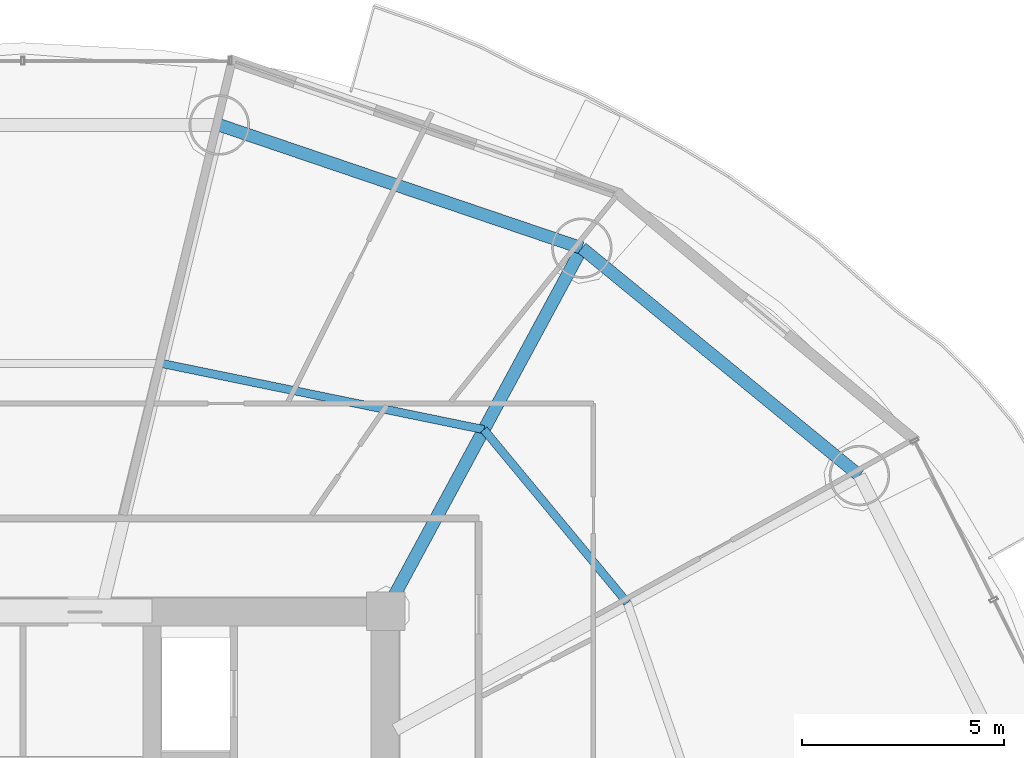
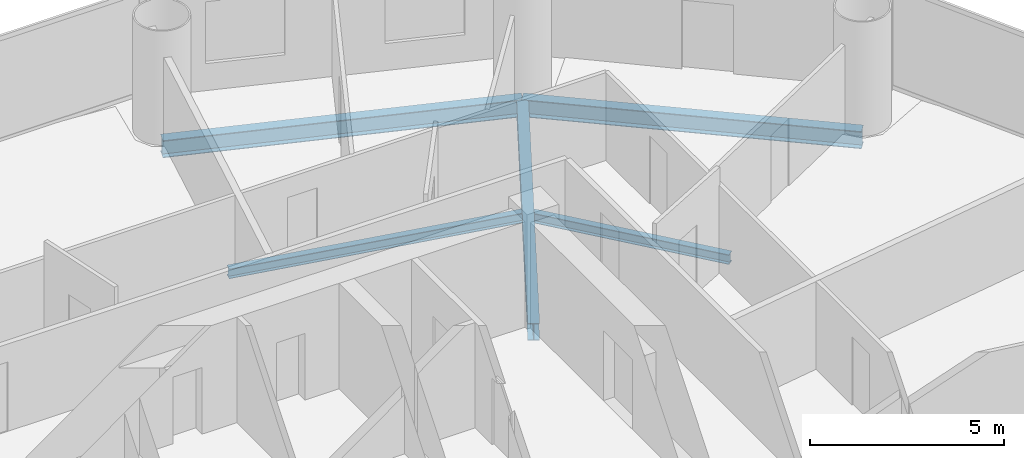
# One storey, part 18 of 28: 5 beams.
"""IFC4 building model written with IfcOpenShell, lengths in metres."""

import ifcopenshell
import ifcopenshell.guid

model = None  # the IFC model being written
_history = None  # IfcOwnerHistory: only IFC2X3 demands one
_inside = {}  # id of a spatial element -> (the spatial element, [elements in it])
_under = {}  # id of a project, library or spatial element -> (it, [spatial elements below it])
_declared = {}  # id of a project -> (the project, [libraries it declares])
_typed = {}  # id of a type object -> (the type object, [elements of that type])
_made_of = {}  # id of a material, layer set ... -> (it, [elements and type objects made of it])


def new_model(schema):
    """Start an empty IFC model of exactly this schema.

    Asked for "IFC4X3", IfcOpenShell would pick the latest addendum, in which some entities
    have other attributes; the version numbers below select the first issue.
    IFC2X3 requires an IfcOwnerHistory on every rooted entity: one is made here for all.
    """
    global model, _history
    if schema == "IFC4X3":
        model = ifcopenshell.file(schema_version=(4, 3, 0, 0))
    else:
        model = ifcopenshell.file(schema=schema)
    _inside.clear()
    _under.clear()
    _declared.clear()
    _typed.clear()
    _made_of.clear()
    _history = None
    if model.schema == "IFC2X3":
        org = make("IfcOrganization", Name="unknown")
        user = make(
            "IfcPersonAndOrganization",
            ThePerson=make("IfcPerson", FamilyName="unknown"),
            TheOrganization=org,
        )
        app = make(
            "IfcApplication",
            ApplicationDeveloper=org,
            Version="unknown",
            ApplicationFullName="unknown",
            ApplicationIdentifier="unknown",
        )
        _history = make(
            "IfcOwnerHistory",
            OwningUser=user,
            OwningApplication=app,
            ChangeAction="ADDED",
            CreationDate=0,
        )
    return model


def make(cls, **values):
    """One entity of the class cls with the attributes given. An attribute that is None is left unset."""
    return model.create_entity(
        cls, **{name: value for name, value in values.items() if value is not None}
    )


def rooted(cls, **values):
    """An entity with a GlobalId (a new one), such as an element, a storey or a relation."""
    return make(cls, GlobalId=ifcopenshell.guid.new(), OwnerHistory=_history, **values)


def si_unit(unit_type, name, prefix=None):
    """IfcSIUnit, for example si_unit("LENGTHUNIT", "METRE", prefix="MILLI")."""
    return make("IfcSIUnit", UnitType=unit_type, Prefix=prefix, Name=name)


def assignment(units):
    """IfcUnitAssignment: the units of a project."""
    return None if units is None else make("IfcUnitAssignment", Units=units)


def point(xyz):
    """IfcCartesianPoint."""
    return None if xyz is None else make("IfcCartesianPoint", Coordinates=xyz)


def direction(xyz):
    """IfcDirection."""
    return None if xyz is None else make("IfcDirection", DirectionRatios=xyz)


def frame(location, z_axis=None, x_axis=None):
    """IfcAxis2Placement3D, a coordinate frame: its origin and axes. An axis left out is left unset."""
    return make(
        "IfcAxis2Placement3D",
        Location=point(location),
        Axis=direction(z_axis),
        RefDirection=direction(x_axis),
    )


def frame_2d(location, x_axis=None):
    """IfcAxis2Placement2D, a coordinate frame in the plane: its origin and x axis."""
    return make(
        "IfcAxis2Placement2D", Location=point(location), RefDirection=direction(x_axis)
    )


def origin():
    """The frame at (0, 0, 0) with its axes left unset."""
    return frame((0.0, 0.0, 0.0))


def origin_2d():
    """The frame at (0, 0) in the plane with its x axis left unset."""
    return frame_2d((0.0, 0.0))


def place(relative_to, where):
    """IfcLocalPlacement: puts the frame where relative to a parent placement (None: the world)."""
    return make(
        "IfcLocalPlacement", PlacementRelTo=relative_to, RelativePlacement=where
    )


def context(
    kind, dimensions, precision=None, world=None, true_north=None, identifier=None
):
    """IfcGeometricRepresentationContext, for example the 3D "Model" context."""
    return make(
        "IfcGeometricRepresentationContext",
        ContextIdentifier=identifier,
        ContextType=kind,
        CoordinateSpaceDimension=dimensions,
        Precision=precision,
        WorldCoordinateSystem=world,
        TrueNorth=true_north,
    )


def subcontext(parent, identifier, kind, view, scale=None):
    """IfcGeometricRepresentationSubContext, for example "Body" below "Model"."""
    return make(
        "IfcGeometricRepresentationSubContext",
        ContextIdentifier=identifier,
        ContextType=kind,
        ParentContext=parent,
        TargetScale=scale,
        TargetView=view,
    )


def project(units=None, contexts=None):
    """IfcProject with its units and contexts."""
    return rooted(
        "IfcProject",
        Name="project",
        RepresentationContexts=contexts,
        UnitsInContext=assignment(units),
    )


def spatial(cls, under=None, at=None, **own):
    """A site, building, storey or space (cls), placed at a placement, below another one or the project."""
    s = rooted(cls, ObjectPlacement=at, **own)
    if under is not None:
        _under.setdefault(under.id(), (under, []))[1].append(s)
    return s


def profile(cls, at=None, kind="AREA", **sizes):
    """A parametric profile (cls). Its sizes go by their IFC names, for example OverallWidth=200.0."""
    return make(cls, ProfileType=kind, Position=at, **sizes)


def i_section(**sizes):
    """IfcIShapeProfileDef."""
    return profile("IfcIShapeProfileDef", **sizes)


def extrude(swept, where, along, depth):
    """IfcExtrudedAreaSolid: the profile swept, set in the frame where, extruded along a direction by depth."""
    return make(
        "IfcExtrudedAreaSolid",
        SweptArea=swept,
        Position=where,
        ExtrudedDirection=direction(along),
        Depth=depth,
    )


def shape(context_of_items, identifier, shape_type, items):
    """IfcShapeRepresentation: the items that make up one representation, for example the "Body"."""
    return make(
        "IfcShapeRepresentation",
        ContextOfItems=context_of_items,
        RepresentationIdentifier=identifier,
        RepresentationType=shape_type,
        Items=items,
    )


def material(Name=None, Category=None):
    """IfcMaterial."""
    return make("IfcMaterial", Name=Name, Category=Category)


def material_profile(
    of_material, cross_section, Name=None, Category=None, Priority=None
):
    """IfcMaterialProfile: a cross section and its material."""
    return make(
        "IfcMaterialProfile",
        Name=Name,
        Material=of_material,
        Profile=cross_section,
        Priority=Priority,
        Category=Category,
    )


def profile_set(profiles, Name=None, composite=None):
    """IfcMaterialProfileSet."""
    return make(
        "IfcMaterialProfileSet",
        Name=Name,
        MaterialProfiles=profiles,
        CompositeProfile=composite,
    )


def made_of(thing, what):
    """Note that an element or type object is made of a material, layer set ...; save() writes the relation."""
    if what is not None:
        _made_of.setdefault(what.id(), (what, []))[1].append(thing)
    return thing


def type_object(cls, material=None, **own):
    """A type object (cls), such as IfcWallType, which elements share."""
    return made_of(rooted(cls, **own), material)


def element(
    cls,
    number,
    at=None,
    inside=None,
    cuts=None,
    type_object=None,
    material=None,
    context=None,
    identifier="Body",
    shape_type=None,
    held_by="IfcProductDefinitionShape",
    body=None,
    shapes=None,
    **own,
):
    """One element of the class cls, such as IfcWall. Its Tag is "e" and its number.

    at: its placement. inside: the storey or other place that contains it. cuts: it is an
    opening in that element (IfcRelVoidsElement). A single representation is given by context,
    identifier, shape_type and body (its items); several are given by shapes. held_by: the class
    of the entity that holds the representations. save() writes the other relations.
    """
    e = rooted(cls, Tag="e%d" % number, ObjectPlacement=at, **own)
    if body is not None:
        shapes = [shape(context, identifier, shape_type, body)]
    if shapes is not None:
        e.Representation = make(held_by, Representations=shapes)
    if inside is not None:
        _inside.setdefault(inside.id(), (inside, []))[1].append(e)
    if cuts is not None:
        rooted(
            "IfcRelVoidsElement", RelatingBuildingElement=cuts, RelatedOpeningElement=e
        )
    if type_object is not None:
        _typed.setdefault(type_object.id(), (type_object, []))[1].append(e)
    return made_of(e, material)


def aggregate(whole, parts):
    """IfcRelAggregates: a whole, such as a stair, and the parts it consists of."""
    return rooted("IfcRelAggregates", RelatingObject=whole, RelatedObjects=parts)


def save(model, path):
    """Write the relations noted so far, then the file.

    IfcRelAggregates (storeys below a building ...), IfcRelContainedInSpatialStructure (elements
    in a storey), IfcRelDefinesByType, IfcRelAssociatesMaterial and IfcRelDeclares: one each for
    every whole, place, type object, material and project.
    """
    for whole, parts in _under.values():
        aggregate(whole, parts)
    for where, things in _inside.values():
        rooted(
            "IfcRelContainedInSpatialStructure",
            RelatedElements=things,
            RelatingStructure=where,
        )
    for kind, things in _typed.values():
        rooted("IfcRelDefinesByType", RelatedObjects=things, RelatingType=kind)
    for what, things in _made_of.values():
        rooted("IfcRelAssociatesMaterial", RelatedObjects=things, RelatingMaterial=what)
    for by, libraries in _declared.values():
        rooted("IfcRelDeclares", RelatingContext=by, RelatedDefinitions=libraries)
    model.write(path)


model = new_model("IFC4")

# Units and contexts
model_context = context("Model", 3, precision=1e-05, world=origin(), true_north=direction((-0.2419218956, 0.970295726276)))
body_context = subcontext(model_context, "Body", "Model", "MODEL_VIEW")
ifc_project = project(units=[si_unit("LENGTHUNIT", "METRE"), si_unit("AREAUNIT", "SQUARE_METRE"), si_unit("VOLUMEUNIT", "CUBIC_METRE"), si_unit("PLANEANGLEUNIT", "RADIAN"), si_unit("MASSUNIT", "GRAM", prefix="KILO")], contexts=[model_context])

# Site, building, storey
site_placement = place(None, origin())
site = spatial("IfcSite", under=ifc_project, at=site_placement, CompositionType="ELEMENT")
building_placement = place(site_placement, origin())
building = spatial("IfcBuilding", under=site, at=building_placement, Name="Cobrevalo Terracotta Tower", CompositionType="ELEMENT")
storey_placement = place(building_placement, frame((0.0, 0.0, 101.39990234375)))
storey = spatial("IfcBuildingStorey", under=building, at=storey_placement, Name="L26", CompositionType="ELEMENT", Elevation=101.39990234375)

# Beams
ifc_material = material(Name="Steel S355", Category="steel")
ifc_material_profile_1 = material_profile(ifc_material, i_section(OverallWidth=0.31201171875, OverallDepth=0.54296875, WebThickness=0.0126953125, FlangeThickness=0.020263671875, at=origin_2d()), Name="W 530x150")
ifc_profile_set_1 = profile_set([ifc_material_profile_1], Name="Steel S355")
beam_type_1 = type_object("IfcBeamType", Name="Structural Beam W 530x150 (Steel S355)", PredefinedType="BEAM", material=ifc_profile_set_1)
beam_1_placement = place(storey_placement, frame((51.861572265625, 43.803466796875, -0.54638671875), z_axis=(-0.475128224431, -0.879916570107, 0.0), x_axis=(0.879916570107, -0.475128224431, 0.0)))
element("IfcBeam", 1, at=beam_1_placement, inside=storey, type_object=beam_type_1, Name="L26 radial floor girder 03", PredefinedType="BEAM", context=body_context, shape_type="SweptSolid", body=[
    extrude(i_section(OverallWidth=0.31201171875, OverallDepth=0.54296875, WebThickness=0.0126953125, FlangeThickness=0.020263671875, at=origin_2d()), origin(), (0.0, 0.0, 1.0), 10.232177734375),
])
ifc_material_profile_2 = material_profile(ifc_material, i_section(OverallWidth=0.2041015625, OverallDepth=0.305908203125, WebThickness=0.008544921875, FlangeThickness=0.0146484375, at=origin_2d()), Name="W 310x67")
ifc_profile_set_2 = profile_set([ifc_material_profile_2], Name="Steel S355")
beam_type_2 = type_object("IfcBeamType", Name="Structural Joist W 310x67 (Steel S355)", PredefinedType="JOIST", material=ifc_profile_set_2)
beam_2_placement = place(storey_placement, frame((52.987548828125, 35.00830078125, -0.427978515625), z_axis=(-0.6379592588, 0.77007011636, 0.0), x_axis=(-0.77007011636, -0.6379592588, 0.0)))
element("IfcBeam", 2, at=beam_2_placement, inside=storey, type_object=beam_type_2, Name="L26 circumferential secondary floor joist 02", PredefinedType="JOIST", context=body_context, shape_type="SweptSolid", body=[
    extrude(i_section(OverallWidth=0.2041015625, OverallDepth=0.305908203125, WebThickness=0.008544921875, FlangeThickness=0.0146484375, at=origin_2d()), origin(), (0.0, 0.0, 1.0), 5.575439453125),
])
beam_3_placement = place(storey_placement, frame((49.4306640625, 39.3017578125, -0.427978515625), z_axis=(-0.979574469315, 0.201081722357, 0.0), x_axis=(-0.201081722357, -0.979574469315, 0.0)))
element("IfcBeam", 3, at=beam_3_placement, inside=storey, type_object=beam_type_2, Name="L26 circumferential secondary floor joist 03", PredefinedType="JOIST", context=body_context, shape_type="SweptSolid", body=[
    extrude(i_section(OverallWidth=0.2041015625, OverallDepth=0.305908203125, WebThickness=0.008544921875, FlangeThickness=0.0146484375, at=origin_2d()), origin(), (0.0, 0.0, 1.0), 8.1650390625),
])
ifc_material_profile_3 = material_profile(ifc_material, i_section(OverallWidth=0.31201171875, OverallDepth=0.54296875, WebThickness=0.0126953125, FlangeThickness=0.020263671875, at=origin_2d()), Name="W 530x150")
ifc_profile_set_3 = profile_set([ifc_material_profile_3], Name="Steel S355")
beam_type_3 = type_object("IfcBeamType", Name="Structural Spandrel W 530x150 (Steel S355)", PredefinedType="SPANDREL", material=ifc_profile_set_3)
beam_4_placement = place(storey_placement, frame((58.7451171875, 38.161376953125, -0.54638671875), z_axis=(-0.773400923541, 0.633917196064, 0.0), x_axis=(-0.633917196064, -0.773400923541, 0.0)))
element("IfcBeam", 4, at=beam_4_placement, inside=storey, type_object=beam_type_3, Name="L26 perimeter ring spandrel 02", PredefinedType="SPANDREL", context=body_context, shape_type="SweptSolid", body=[
    extrude(i_section(OverallWidth=0.31201171875, OverallDepth=0.54296875, WebThickness=0.0126953125, FlangeThickness=0.020263671875, at=origin_2d()), origin(), (0.0, 0.0, 1.0), 8.900390625),
])
beam_5_placement = place(storey_placement, frame((51.861572265625, 43.803466796875, -0.54638671875), z_axis=(-0.946910528816, 0.32149720126, 0.0), x_axis=(-0.32149720126, -0.946910528816, 0.0)))
element("IfcBeam", 5, at=beam_5_placement, inside=storey, type_object=beam_type_3, Name="L26 perimeter ring spandrel 03", PredefinedType="SPANDREL", context=body_context, shape_type="SweptSolid", body=[
    extrude(i_section(OverallWidth=0.31201171875, OverallDepth=0.54296875, WebThickness=0.0126953125, FlangeThickness=0.020263671875, at=origin_2d()), origin(), (0.0, 0.0, 1.0), 9.498291015625),
])

save(model, "model.ifc")
